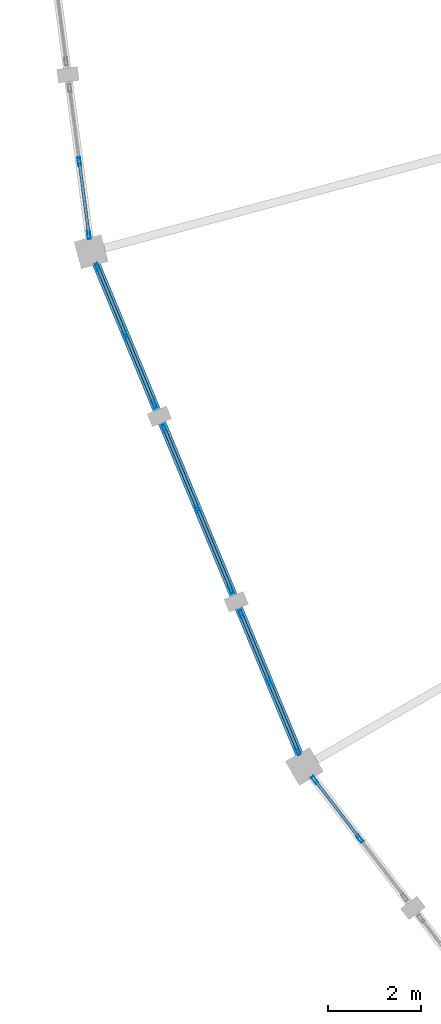
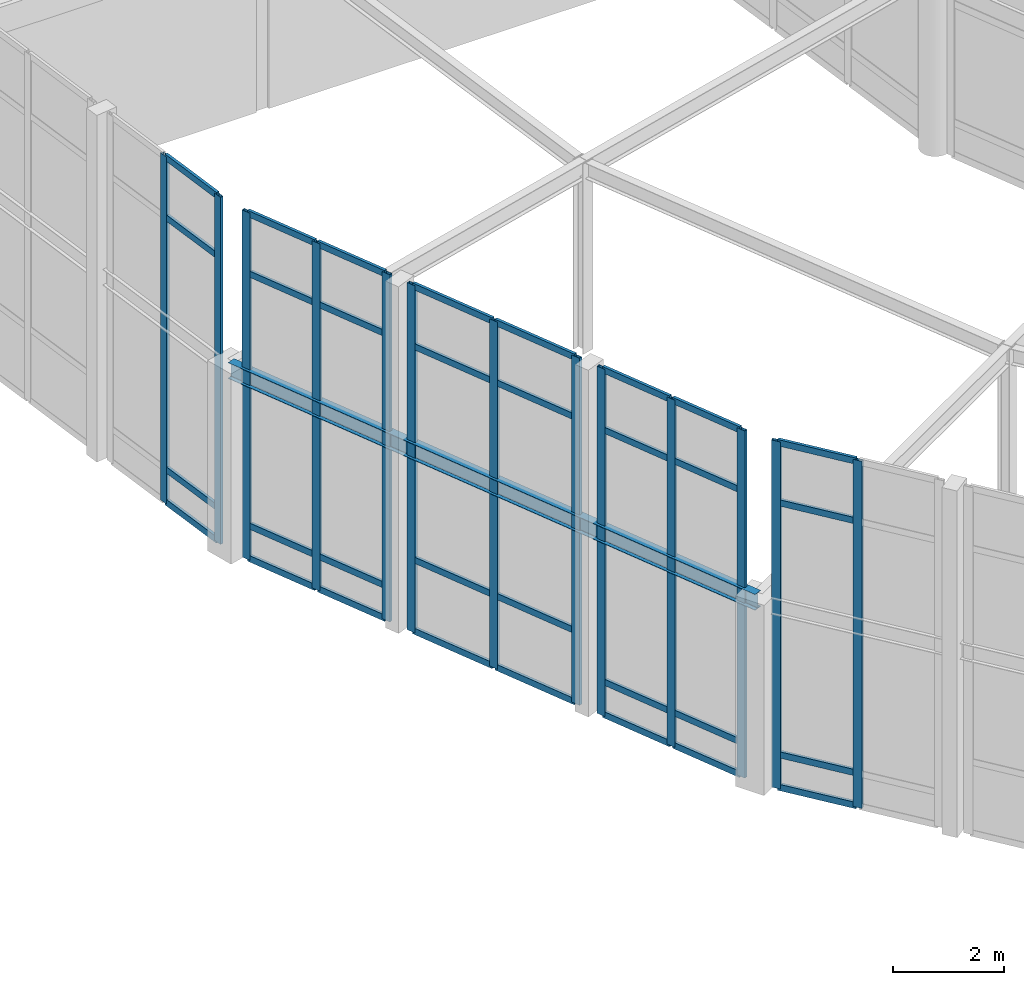
# One storey, part 25 of 93: 45 members, 1 beam, 5 elements without a shape of their own.
"""IFC4 building model written with IfcOpenShell, lengths in metres."""

from ifc_helpers import new_model, si_unit, direction, frame, origin, origin_2d, place, context, subcontext, project, spatial, hollow_rectangle, i_section, extrude, material, material_profile, profile_set, type_object, element, aggregate, save


model = new_model("IFC4")

# Units and contexts
model_context = context("Model", 3, precision=1e-05, world=origin(), true_north=direction((0.0, 1.0)))
body_context = subcontext(model_context, "Body", "Model", "MODEL_VIEW")
ifc_project = project(units=[si_unit("LENGTHUNIT", "METRE"), si_unit("AREAUNIT", "SQUARE_METRE"), si_unit("VOLUMEUNIT", "CUBIC_METRE"), si_unit("PLANEANGLEUNIT", "RADIAN"), si_unit("MASSUNIT", "GRAM", prefix="KILO")], contexts=[model_context])

# Site, building, storey
site_placement = place(None, origin())
site = spatial("IfcSite", under=ifc_project, at=site_placement, CompositionType="ELEMENT")
building_placement = place(site_placement, origin())
building = spatial("IfcBuilding", under=site, at=building_placement, Name="Vondelvale Polytechnic", CompositionType="ELEMENT")
storey_placement = place(building_placement, frame((0.0, 0.0, 18.0)))
storey = spatial("IfcBuildingStorey", under=building, at=storey_placement, Name="L04", CompositionType="ELEMENT", Elevation=18.0)

# Beam
ifc_material_1 = material(Name="Steel 300PLUS (fy = 300 MPa)", Category="steel")
ifc_material_profile_1 = material_profile(ifc_material_1, i_section(OverallWidth=0.1708984375, OverallDepth=0.35205078125, WebThickness=0.0068359375, FlangeThickness=0.009765625, FilletRadius=0.011474609375, at=origin_2d()), Name="360UB44.7")
ifc_profile_set_1 = profile_set([ifc_material_profile_1], Name="Steel 300PLUS (fy = 300 MPa)")
beam_type = type_object("IfcBeamType", Name="BM-UB360L", PredefinedType="BEAM", material=ifc_profile_set_1)
beam_placement = place(storey_placement, frame((57.5673828125, 60.09423828125, 4.02392578125), z_axis=(0.382688765072, -0.923877323614, 0.0), x_axis=(0.923877323614, 0.382688765072, 0.0)))
element("IfcBeam", 1, at=beam_placement, inside=storey, type_object=beam_type, Name="L04 RE B-24", PredefinedType="BEAM", context=body_context, shape_type="SweptSolid", body=[
    extrude(i_section(OverallWidth=0.1708984375, OverallDepth=0.35205078125, WebThickness=0.0068359375, FlangeThickness=0.009765625, FilletRadius=0.011474609375, at=origin_2d()), origin(), (0.0, 0.0, 1.0), 12.00830078125),
])

# Curtain wall, members
ifc_material_2 = material(Name="Glulam GL18 structural Tasmanian oak (fb = 42 MPa)", Category="wood")
curtain_wall_type = type_object("IfcCurtainWallType", Name="CW-RING-OUTER", PredefinedType="NOTDEFINED", material=ifc_material_2)
curtain_wall_1_placement = place(storey_placement, origin())
curtain_wall_1 = element("IfcCurtainWall", 2, at=curtain_wall_1_placement, inside=storey, type_object=curtain_wall_type, Name="L04 architectural curtain wall CW-04-274", PredefinedType="NOTDEFINED")
ifc_material_3 = material(Name="Anodised extruded aluminium 6063-T6", Category="aluminium")
ifc_material_profile_2 = material_profile(ifc_material_3, hollow_rectangle(XDim=0.06494140625, YDim=0.179931640625, WallThickness=0.00390625, at=origin_2d()), Name="CW-MUL-180x65")
ifc_profile_set_2 = profile_set([ifc_material_profile_2], Name="Anodised extruded aluminium 6063-T6")
member_type_1 = type_object("IfcMemberType", Name="CW-MUL-65x180", PredefinedType="MULLION", material=ifc_profile_set_2)
member_1_placement = place(storey_placement, frame((57.3115234375, 62.037841796875, 0.0), z_axis=(0.0, 0.0, 1.0), x_axis=(0.991443102996, 0.130539547729, 0.0)))
member_1 = element("IfcMember", 3, at=member_1_placement, type_object=member_type_1, Name="CW-04-274 mullion 2", PredefinedType="MULLION", context=body_context, shape_type="SweptSolid", body=[
    extrude(hollow_rectangle(XDim=0.06494140625, YDim=0.179931640625, WallThickness=0.00390625, at=origin_2d()), origin(), (0.0, 0.0, 1.0), 7.661376953125),
])
member_2_placement = place(storey_placement, frame((57.519775390625, 60.45654296875, 0.0), z_axis=(0.0, 0.0, 1.0), x_axis=(0.991443102996, 0.130539547729, 0.0)))
member_2 = element("IfcMember", 4, at=member_2_placement, type_object=member_type_1, Name="CW-04-274 mullion 3", PredefinedType="MULLION", context=body_context, shape_type="SweptSolid", body=[
    extrude(hollow_rectangle(XDim=0.06494140625, YDim=0.179931640625, WallThickness=0.00390625, at=origin_2d()), origin(), (0.0, 0.0, 1.0), 7.661376953125),
])

curtain_wall_2_placement = place(storey_placement, origin())
curtain_wall_2 = element("IfcCurtainWall", 5, at=curtain_wall_2_placement, inside=storey, type_object=curtain_wall_type, Name="L04 architectural curtain wall CW-04-292", PredefinedType="NOTDEFINED")
member_3_placement = place(storey_placement, frame((57.70703125, 59.7568359375, 0.0), z_axis=(0.0, 0.0, 1.0), x_axis=(0.923882033442, 0.382677394529, 0.0)))
member_3 = element("IfcMember", 6, at=member_3_placement, type_object=member_type_1, Name="CW-04-292 mullion 1", PredefinedType="MULLION", context=body_context, shape_type="SweptSolid", body=[
    extrude(hollow_rectangle(XDim=0.06494140625, YDim=0.179931640625, WallThickness=0.00390625, at=origin_2d()), origin(), (0.0, 0.0, 1.0), 7.661376953125),
])
member_4_placement = place(storey_placement, frame((58.3173828125, 58.283203125, 0.0), z_axis=(0.0, 0.0, 1.0), x_axis=(0.923882033442, 0.382677394529, 0.0)))
member_4 = element("IfcMember", 7, at=member_4_placement, type_object=member_type_1, Name="CW-04-292 mullion 2", PredefinedType="MULLION", context=body_context, shape_type="SweptSolid", body=[
    extrude(hollow_rectangle(XDim=0.06494140625, YDim=0.179931640625, WallThickness=0.00390625, at=origin_2d()), origin(), (0.0, 0.0, 1.0), 7.661376953125),
])
member_5_placement = place(storey_placement, frame((58.927978515625, 56.809814453125, 0.0), z_axis=(0.0, 0.0, 1.0), x_axis=(0.923882033442, 0.382677394529, 0.0)))
member_5 = element("IfcMember", 8, at=member_5_placement, type_object=member_type_1, Name="CW-04-292 mullion 3", PredefinedType="MULLION", context=body_context, shape_type="SweptSolid", body=[
    extrude(hollow_rectangle(XDim=0.06494140625, YDim=0.179931640625, WallThickness=0.00390625, at=origin_2d()), origin(), (0.0, 0.0, 1.0), 7.661376953125),
])

curtain_wall_3_placement = place(storey_placement, origin())
curtain_wall_3 = element("IfcCurtainWall", 9, at=curtain_wall_3_placement, inside=storey, type_object=curtain_wall_type, Name="L04 architectural curtain wall CW-04-293", PredefinedType="NOTDEFINED")
member_6_placement = place(storey_placement, frame((59.14794921875, 56.278564453125, 0.0), z_axis=(0.0, 0.0, 1.0), x_axis=(0.92387490701, 0.382694599123, 0.0)))
member_6 = element("IfcMember", 10, at=member_6_placement, type_object=member_type_1, Name="CW-04-293 mullion 1", PredefinedType="MULLION", context=body_context, shape_type="SweptSolid", body=[
    extrude(hollow_rectangle(XDim=0.06494140625, YDim=0.179931640625, WallThickness=0.00390625, at=origin_2d()), origin(), (0.0, 0.0, 1.0), 7.661376953125),
])
member_7_placement = place(storey_placement, frame((59.864990234375, 54.547119140625, 0.0), z_axis=(0.0, 0.0, 1.0), x_axis=(0.92387490701, 0.382694599123, 0.0)))
member_7 = element("IfcMember", 11, at=member_7_placement, type_object=member_type_1, Name="CW-04-293 mullion 2", PredefinedType="MULLION", context=body_context, shape_type="SweptSolid", body=[
    extrude(hollow_rectangle(XDim=0.06494140625, YDim=0.179931640625, WallThickness=0.00390625, at=origin_2d()), origin(), (0.0, 0.0, 1.0), 7.661376953125),
])
member_8_placement = place(storey_placement, frame((60.582275390625, 52.81591796875, 0.0), z_axis=(0.0, 0.0, 1.0), x_axis=(0.92387490701, 0.382694599123, 0.0)))
member_8 = element("IfcMember", 12, at=member_8_placement, type_object=member_type_1, Name="CW-04-293 mullion 3", PredefinedType="MULLION", context=body_context, shape_type="SweptSolid", body=[
    extrude(hollow_rectangle(XDim=0.06494140625, YDim=0.179931640625, WallThickness=0.00390625, at=origin_2d()), origin(), (0.0, 0.0, 1.0), 7.661376953125),
])

curtain_wall_4_placement = place(storey_placement, origin())
curtain_wall_4 = element("IfcCurtainWall", 13, at=curtain_wall_4_placement, inside=storey, type_object=curtain_wall_type, Name="L04 architectural curtain wall CW-04-294", PredefinedType="NOTDEFINED")
member_9_placement = place(storey_placement, frame((60.80224609375, 52.28466796875, 0.0), z_axis=(0.0, 0.0, 1.0), x_axis=(0.923882033442, 0.382677394529, 0.0)))
member_9 = element("IfcMember", 14, at=member_9_placement, type_object=member_type_1, Name="CW-04-294 mullion 1", PredefinedType="MULLION", context=body_context, shape_type="SweptSolid", body=[
    extrude(hollow_rectangle(XDim=0.06494140625, YDim=0.179931640625, WallThickness=0.00390625, at=origin_2d()), origin(), (0.0, 0.0, 1.0), 7.661376953125),
])
member_10_placement = place(storey_placement, frame((61.41259765625, 50.81103515625, 0.0), z_axis=(0.0, 0.0, 1.0), x_axis=(0.923882033442, 0.382677394529, 0.0)))
member_10 = element("IfcMember", 15, at=member_10_placement, type_object=member_type_1, Name="CW-04-294 mullion 2", PredefinedType="MULLION", context=body_context, shape_type="SweptSolid", body=[
    extrude(hollow_rectangle(XDim=0.06494140625, YDim=0.179931640625, WallThickness=0.00390625, at=origin_2d()), origin(), (0.0, 0.0, 1.0), 7.661376953125),
])
member_11_placement = place(storey_placement, frame((62.02294921875, 49.33740234375, 0.0), z_axis=(0.0, 0.0, 1.0), x_axis=(0.923882033442, 0.382677394529, 0.0)))
member_11 = element("IfcMember", 16, at=member_11_placement, type_object=member_type_1, Name="CW-04-294 mullion 3", PredefinedType="MULLION", context=body_context, shape_type="SweptSolid", body=[
    extrude(hollow_rectangle(XDim=0.06494140625, YDim=0.179931640625, WallThickness=0.00390625, at=origin_2d()), origin(), (0.0, 0.0, 1.0), 7.661376953125),
])

curtain_wall_5_placement = place(storey_placement, origin())
curtain_wall_5 = element("IfcCurtainWall", 17, at=curtain_wall_5_placement, inside=storey, type_object=curtain_wall_type, Name="L04 architectural curtain wall CW-04-311", PredefinedType="NOTDEFINED")
member_12_placement = place(storey_placement, frame((62.385009765625, 48.710205078125, 0.0), z_axis=(0.0, 0.0, 1.0), x_axis=(0.793333825656, 0.608786860133, 0.0)))
member_12 = element("IfcMember", 18, at=member_12_placement, type_object=member_type_1, Name="CW-04-311 mullion 1", PredefinedType="MULLION", context=body_context, shape_type="SweptSolid", body=[
    extrude(hollow_rectangle(XDim=0.06494140625, YDim=0.179931640625, WallThickness=0.00390625, at=origin_2d()), origin(), (0.0, 0.0, 1.0), 7.661376953125),
])
member_13_placement = place(storey_placement, frame((63.356201171875, 47.44482421875, 0.0), z_axis=(0.0, 0.0, 1.0), x_axis=(0.793333825656, 0.608786860133, 0.0)))
member_13 = element("IfcMember", 19, at=member_13_placement, type_object=member_type_1, Name="CW-04-311 mullion 2", PredefinedType="MULLION", context=body_context, shape_type="SweptSolid", body=[
    extrude(hollow_rectangle(XDim=0.06494140625, YDim=0.179931640625, WallThickness=0.00390625, at=origin_2d()), origin(), (0.0, 0.0, 1.0), 7.661376953125),
])

# Member
ifc_material_profile_3 = material_profile(ifc_material_3, hollow_rectangle(XDim=0.06005859375, YDim=0.139892578125, WallThickness=0.00341796875, at=origin_2d()), Name="CW-TRN-140x60")
ifc_profile_set_3 = profile_set([ifc_material_profile_3], Name="Anodised extruded aluminium 6063-T6")
member_type_2 = type_object("IfcMemberType", Name="CW-TRN-60x140", PredefinedType="USERDEFINED", material=ifc_profile_set_3)
member_14_placement = place(storey_placement, frame((57.315673828125, 62.005615234375, 0.030029296875), z_axis=(0.13066912162, -0.99142603388, 0.0), x_axis=(0.99142603388, 0.13066912162, 0.0)))
member_14 = element("IfcMember", 20, at=member_14_placement, type_object=member_type_2, Name="CW-04-274 transom 2.1", ObjectType="TRANSOM", PredefinedType="USERDEFINED", context=body_context, shape_type="SweptSolid", body=[
    extrude(hollow_rectangle(XDim=0.06005859375, YDim=0.139892578125, WallThickness=0.00341796875, at=origin_2d()), origin(), (0.0, 0.0, 1.0), 1.5302734375),
])

member_15_placement = place(storey_placement, frame((57.315673828125, 62.005615234375, 0.75), z_axis=(0.13066912162, -0.99142603388, 0.0), x_axis=(0.99142603388, 0.13066912162, 0.0)))
member_15 = element("IfcMember", 21, at=member_15_placement, type_object=member_type_2, Name="CW-04-274 transom 2.2", ObjectType="TRANSOM", PredefinedType="USERDEFINED", context=body_context, shape_type="SweptSolid", body=[
    extrude(hollow_rectangle(XDim=0.06005859375, YDim=0.139892578125, WallThickness=0.00341796875, at=origin_2d()), origin(), (0.0, 0.0, 1.0), 1.5302734375),
])

member_16_placement = place(storey_placement, frame((57.315673828125, 62.005615234375, 6.311279296875), z_axis=(0.13066912162, -0.99142603388, 0.0), x_axis=(0.99142603388, 0.13066912162, 0.0)))
member_16 = element("IfcMember", 22, at=member_16_placement, type_object=member_type_2, Name="CW-04-274 transom 2.3", ObjectType="TRANSOM", PredefinedType="USERDEFINED", context=body_context, shape_type="SweptSolid", body=[
    extrude(hollow_rectangle(XDim=0.06005859375, YDim=0.139892578125, WallThickness=0.00341796875, at=origin_2d()), origin(), (0.0, 0.0, 1.0), 1.5302734375),
])

member_17_placement = place(storey_placement, frame((57.315673828125, 62.005615234375, 7.63134765625), z_axis=(0.13066912162, -0.99142603388, 0.0), x_axis=(0.99142603388, 0.13066912162, 0.0)))
member_17 = element("IfcMember", 23, at=member_17_placement, type_object=member_type_2, Name="CW-04-274 transom 2.4", ObjectType="TRANSOM", PredefinedType="USERDEFINED", context=body_context, shape_type="SweptSolid", body=[
    extrude(hollow_rectangle(XDim=0.06005859375, YDim=0.139892578125, WallThickness=0.00341796875, at=origin_2d()), origin(), (0.0, 0.0, 1.0), 1.5302734375),
])

aggregate(curtain_wall_1, [member_1, member_2, member_14, member_15, member_16, member_17])

member_18_placement = place(storey_placement, frame((57.719482421875, 59.726806640625, 0.030029296875), z_axis=(0.382779237206, -0.923839843027, 0.0), x_axis=(0.923839843027, 0.382779237206, 0.0)))
member_18 = element("IfcMember", 24, at=member_18_placement, type_object=member_type_2, Name="CW-04-292 transom 1.1", ObjectType="TRANSOM", PredefinedType="USERDEFINED", context=body_context, shape_type="SweptSolid", body=[
    extrude(hollow_rectangle(XDim=0.06005859375, YDim=0.139892578125, WallThickness=0.00341796875, at=origin_2d()), origin(), (0.0, 0.0, 1.0), 1.530029296875),
])

member_19_placement = place(storey_placement, frame((57.719482421875, 59.726806640625, 0.75), z_axis=(0.382779237206, -0.923839843027, 0.0), x_axis=(0.923839843027, 0.382779237206, 0.0)))
member_19 = element("IfcMember", 25, at=member_19_placement, type_object=member_type_2, Name="CW-04-292 transom 1.2", ObjectType="TRANSOM", PredefinedType="USERDEFINED", context=body_context, shape_type="SweptSolid", body=[
    extrude(hollow_rectangle(XDim=0.06005859375, YDim=0.139892578125, WallThickness=0.00341796875, at=origin_2d()), origin(), (0.0, 0.0, 1.0), 1.530029296875),
])

member_20_placement = place(storey_placement, frame((57.719482421875, 59.726806640625, 6.311279296875), z_axis=(0.382779237206, -0.923839843027, 0.0), x_axis=(0.923839843027, 0.382779237206, 0.0)))
member_20 = element("IfcMember", 26, at=member_20_placement, type_object=member_type_2, Name="CW-04-292 transom 1.3", ObjectType="TRANSOM", PredefinedType="USERDEFINED", context=body_context, shape_type="SweptSolid", body=[
    extrude(hollow_rectangle(XDim=0.06005859375, YDim=0.139892578125, WallThickness=0.00341796875, at=origin_2d()), origin(), (0.0, 0.0, 1.0), 1.530029296875),
])

member_21_placement = place(storey_placement, frame((57.719482421875, 59.726806640625, 7.63134765625), z_axis=(0.382779237206, -0.923839843027, 0.0), x_axis=(0.923839843027, 0.382779237206, 0.0)))
member_21 = element("IfcMember", 27, at=member_21_placement, type_object=member_type_2, Name="CW-04-292 transom 1.4", ObjectType="TRANSOM", PredefinedType="USERDEFINED", context=body_context, shape_type="SweptSolid", body=[
    extrude(hollow_rectangle(XDim=0.06005859375, YDim=0.139892578125, WallThickness=0.00341796875, at=origin_2d()), origin(), (0.0, 0.0, 1.0), 1.530029296875),
])

member_22_placement = place(storey_placement, frame((58.329833984375, 58.253173828125, 0.030029296875), z_axis=(0.382835668721, -0.923816459452, 0.0), x_axis=(0.923816459452, 0.382835668721, 0.0)))
member_22 = element("IfcMember", 28, at=member_22_placement, type_object=member_type_2, Name="CW-04-292 transom 2.1", ObjectType="TRANSOM", PredefinedType="USERDEFINED", context=body_context, shape_type="SweptSolid", body=[
    extrude(hollow_rectangle(XDim=0.06005859375, YDim=0.139892578125, WallThickness=0.00341796875, at=origin_2d()), origin(), (0.0, 0.0, 1.0), 1.52978515625),
])

member_23_placement = place(storey_placement, frame((58.329833984375, 58.253173828125, 0.75), z_axis=(0.382835668721, -0.923816459452, 0.0), x_axis=(0.923816459452, 0.382835668721, 0.0)))
member_23 = element("IfcMember", 29, at=member_23_placement, type_object=member_type_2, Name="CW-04-292 transom 2.2", ObjectType="TRANSOM", PredefinedType="USERDEFINED", context=body_context, shape_type="SweptSolid", body=[
    extrude(hollow_rectangle(XDim=0.06005859375, YDim=0.139892578125, WallThickness=0.00341796875, at=origin_2d()), origin(), (0.0, 0.0, 1.0), 1.52978515625),
])

member_24_placement = place(storey_placement, frame((58.329833984375, 58.253173828125, 6.311279296875), z_axis=(0.382835668721, -0.923816459452, 0.0), x_axis=(0.923816459452, 0.382835668721, 0.0)))
member_24 = element("IfcMember", 30, at=member_24_placement, type_object=member_type_2, Name="CW-04-292 transom 2.3", ObjectType="TRANSOM", PredefinedType="USERDEFINED", context=body_context, shape_type="SweptSolid", body=[
    extrude(hollow_rectangle(XDim=0.06005859375, YDim=0.139892578125, WallThickness=0.00341796875, at=origin_2d()), origin(), (0.0, 0.0, 1.0), 1.52978515625),
])

member_25_placement = place(storey_placement, frame((58.329833984375, 58.253173828125, 7.63134765625), z_axis=(0.382835668721, -0.923816459452, 0.0), x_axis=(0.923816459452, 0.382835668721, 0.0)))
member_25 = element("IfcMember", 31, at=member_25_placement, type_object=member_type_2, Name="CW-04-292 transom 2.4", ObjectType="TRANSOM", PredefinedType="USERDEFINED", context=body_context, shape_type="SweptSolid", body=[
    extrude(hollow_rectangle(XDim=0.06005859375, YDim=0.139892578125, WallThickness=0.00341796875, at=origin_2d()), origin(), (0.0, 0.0, 1.0), 1.52978515625),
])

aggregate(curtain_wall_2, [member_3, member_4, member_5, member_18, member_19, member_20, member_21, member_22, member_23, member_24, member_25])

member_26_placement = place(storey_placement, frame((59.160400390625, 56.24853515625, 0.030029296875), z_axis=(0.382717291485, -0.923865506878, 0.0), x_axis=(0.923865506878, 0.382717291485, 0.0)))
member_26 = element("IfcMember", 32, at=member_26_placement, type_object=member_type_2, Name="CW-04-293 transom 1.1", ObjectType="TRANSOM", PredefinedType="USERDEFINED", context=body_context, shape_type="SweptSolid", body=[
    extrude(hollow_rectangle(XDim=0.06005859375, YDim=0.139892578125, WallThickness=0.00341796875, at=origin_2d()), origin(), (0.0, 0.0, 1.0), 1.80908203125),
])

member_27_placement = place(storey_placement, frame((59.160400390625, 56.24853515625, 1.60009765625), z_axis=(0.382717291485, -0.923865506878, 0.0), x_axis=(0.923865506878, 0.382717291485, 0.0)))
member_27 = element("IfcMember", 33, at=member_27_placement, type_object=member_type_2, Name="CW-04-293 transom 1.2", ObjectType="TRANSOM", PredefinedType="USERDEFINED", context=body_context, shape_type="SweptSolid", body=[
    extrude(hollow_rectangle(XDim=0.06005859375, YDim=0.139892578125, WallThickness=0.00341796875, at=origin_2d()), origin(), (0.0, 0.0, 1.0), 1.80908203125),
])

member_28_placement = place(storey_placement, frame((59.160400390625, 56.24853515625, 6.311279296875), z_axis=(0.382717291485, -0.923865506878, 0.0), x_axis=(0.923865506878, 0.382717291485, 0.0)))
member_28 = element("IfcMember", 34, at=member_28_placement, type_object=member_type_2, Name="CW-04-293 transom 1.3", ObjectType="TRANSOM", PredefinedType="USERDEFINED", context=body_context, shape_type="SweptSolid", body=[
    extrude(hollow_rectangle(XDim=0.06005859375, YDim=0.139892578125, WallThickness=0.00341796875, at=origin_2d()), origin(), (0.0, 0.0, 1.0), 1.80908203125),
])

member_29_placement = place(storey_placement, frame((59.160400390625, 56.24853515625, 7.63134765625), z_axis=(0.382717291485, -0.923865506878, 0.0), x_axis=(0.923865506878, 0.382717291485, 0.0)))
member_29 = element("IfcMember", 35, at=member_29_placement, type_object=member_type_2, Name="CW-04-293 transom 1.4", ObjectType="TRANSOM", PredefinedType="USERDEFINED", context=body_context, shape_type="SweptSolid", body=[
    extrude(hollow_rectangle(XDim=0.06005859375, YDim=0.139892578125, WallThickness=0.00341796875, at=origin_2d()), origin(), (0.0, 0.0, 1.0), 1.80908203125),
])

member_30_placement = place(storey_placement, frame((59.87744140625, 54.51708984375, 0.030029296875), z_axis=(0.382765012338, -0.92384573676, 0.0), x_axis=(0.92384573676, 0.382765012338, 0.0)))
member_30 = element("IfcMember", 36, at=member_30_placement, type_object=member_type_2, Name="CW-04-293 transom 2.1", ObjectType="TRANSOM", PredefinedType="USERDEFINED", context=body_context, shape_type="SweptSolid", body=[
    extrude(hollow_rectangle(XDim=0.06005859375, YDim=0.139892578125, WallThickness=0.00341796875, at=origin_2d()), origin(), (0.0, 0.0, 1.0), 1.808837890625),
])

member_31_placement = place(storey_placement, frame((59.87744140625, 54.51708984375, 1.60009765625), z_axis=(0.382765012338, -0.92384573676, 0.0), x_axis=(0.92384573676, 0.382765012338, 0.0)))
member_31 = element("IfcMember", 37, at=member_31_placement, type_object=member_type_2, Name="CW-04-293 transom 2.2", ObjectType="TRANSOM", PredefinedType="USERDEFINED", context=body_context, shape_type="SweptSolid", body=[
    extrude(hollow_rectangle(XDim=0.06005859375, YDim=0.139892578125, WallThickness=0.00341796875, at=origin_2d()), origin(), (0.0, 0.0, 1.0), 1.808837890625),
])

member_32_placement = place(storey_placement, frame((59.87744140625, 54.51708984375, 6.311279296875), z_axis=(0.382765012338, -0.92384573676, 0.0), x_axis=(0.92384573676, 0.382765012338, 0.0)))
member_32 = element("IfcMember", 38, at=member_32_placement, type_object=member_type_2, Name="CW-04-293 transom 2.3", ObjectType="TRANSOM", PredefinedType="USERDEFINED", context=body_context, shape_type="SweptSolid", body=[
    extrude(hollow_rectangle(XDim=0.06005859375, YDim=0.139892578125, WallThickness=0.00341796875, at=origin_2d()), origin(), (0.0, 0.0, 1.0), 1.808837890625),
])

member_33_placement = place(storey_placement, frame((59.87744140625, 54.51708984375, 7.63134765625), z_axis=(0.382765012338, -0.92384573676, 0.0), x_axis=(0.92384573676, 0.382765012338, 0.0)))
member_33 = element("IfcMember", 39, at=member_33_placement, type_object=member_type_2, Name="CW-04-293 transom 2.4", ObjectType="TRANSOM", PredefinedType="USERDEFINED", context=body_context, shape_type="SweptSolid", body=[
    extrude(hollow_rectangle(XDim=0.06005859375, YDim=0.139892578125, WallThickness=0.00341796875, at=origin_2d()), origin(), (0.0, 0.0, 1.0), 1.808837890625),
])

aggregate(curtain_wall_3, [member_6, member_7, member_8, member_26, member_27, member_28, member_29, member_30, member_31, member_32, member_33])

member_34_placement = place(storey_placement, frame((60.814697265625, 52.254638671875, 0.030029296875), z_axis=(0.382643045304, -0.923896260346, 0.0), x_axis=(0.923896260346, 0.382643045304, 0.0)))
member_34 = element("IfcMember", 40, at=member_34_placement, type_object=member_type_2, Name="CW-04-294 transom 1.1", ObjectType="TRANSOM", PredefinedType="USERDEFINED", context=body_context, shape_type="SweptSolid", body=[
    extrude(hollow_rectangle(XDim=0.06005859375, YDim=0.139892578125, WallThickness=0.00341796875, at=origin_2d()), origin(), (0.0, 0.0, 1.0), 1.530029296875),
])

member_35_placement = place(storey_placement, frame((60.814697265625, 52.254638671875, 0.75), z_axis=(0.382643045304, -0.923896260346, 0.0), x_axis=(0.923896260346, 0.382643045304, 0.0)))
member_35 = element("IfcMember", 41, at=member_35_placement, type_object=member_type_2, Name="CW-04-294 transom 1.2", ObjectType="TRANSOM", PredefinedType="USERDEFINED", context=body_context, shape_type="SweptSolid", body=[
    extrude(hollow_rectangle(XDim=0.06005859375, YDim=0.139892578125, WallThickness=0.00341796875, at=origin_2d()), origin(), (0.0, 0.0, 1.0), 1.530029296875),
])

member_36_placement = place(storey_placement, frame((60.814697265625, 52.254638671875, 6.311279296875), z_axis=(0.382643045304, -0.923896260346, 0.0), x_axis=(0.923896260346, 0.382643045304, 0.0)))
member_36 = element("IfcMember", 42, at=member_36_placement, type_object=member_type_2, Name="CW-04-294 transom 1.3", ObjectType="TRANSOM", PredefinedType="USERDEFINED", context=body_context, shape_type="SweptSolid", body=[
    extrude(hollow_rectangle(XDim=0.06005859375, YDim=0.139892578125, WallThickness=0.00341796875, at=origin_2d()), origin(), (0.0, 0.0, 1.0), 1.530029296875),
])

member_37_placement = place(storey_placement, frame((60.814697265625, 52.254638671875, 7.63134765625), z_axis=(0.382643045304, -0.923896260346, 0.0), x_axis=(0.923896260346, 0.382643045304, 0.0)))
member_37 = element("IfcMember", 43, at=member_37_placement, type_object=member_type_2, Name="CW-04-294 transom 1.4", ObjectType="TRANSOM", PredefinedType="USERDEFINED", context=body_context, shape_type="SweptSolid", body=[
    extrude(hollow_rectangle(XDim=0.06005859375, YDim=0.139892578125, WallThickness=0.00341796875, at=origin_2d()), origin(), (0.0, 0.0, 1.0), 1.530029296875),
])

member_38_placement = place(storey_placement, frame((61.425048828125, 50.781005859375, 0.030029296875), z_axis=(0.382779237206, -0.923839843027, 0.0), x_axis=(0.923839843027, 0.382779237206, 0.0)))
member_38 = element("IfcMember", 44, at=member_38_placement, type_object=member_type_2, Name="CW-04-294 transom 2.1", ObjectType="TRANSOM", PredefinedType="USERDEFINED", context=body_context, shape_type="SweptSolid", body=[
    extrude(hollow_rectangle(XDim=0.06005859375, YDim=0.139892578125, WallThickness=0.00341796875, at=origin_2d()), origin(), (0.0, 0.0, 1.0), 1.530029296875),
])

member_39_placement = place(storey_placement, frame((61.425048828125, 50.781005859375, 0.75), z_axis=(0.382779237206, -0.923839843027, 0.0), x_axis=(0.923839843027, 0.382779237206, 0.0)))
member_39 = element("IfcMember", 45, at=member_39_placement, type_object=member_type_2, Name="CW-04-294 transom 2.2", ObjectType="TRANSOM", PredefinedType="USERDEFINED", context=body_context, shape_type="SweptSolid", body=[
    extrude(hollow_rectangle(XDim=0.06005859375, YDim=0.139892578125, WallThickness=0.00341796875, at=origin_2d()), origin(), (0.0, 0.0, 1.0), 1.530029296875),
])

member_40_placement = place(storey_placement, frame((61.425048828125, 50.781005859375, 6.311279296875), z_axis=(0.382779237206, -0.923839843027, 0.0), x_axis=(0.923839843027, 0.382779237206, 0.0)))
member_40 = element("IfcMember", 46, at=member_40_placement, type_object=member_type_2, Name="CW-04-294 transom 2.3", ObjectType="TRANSOM", PredefinedType="USERDEFINED", context=body_context, shape_type="SweptSolid", body=[
    extrude(hollow_rectangle(XDim=0.06005859375, YDim=0.139892578125, WallThickness=0.00341796875, at=origin_2d()), origin(), (0.0, 0.0, 1.0), 1.530029296875),
])

member_41_placement = place(storey_placement, frame((61.425048828125, 50.781005859375, 7.63134765625), z_axis=(0.382779237206, -0.923839843027, 0.0), x_axis=(0.923839843027, 0.382779237206, 0.0)))
member_41 = element("IfcMember", 47, at=member_41_placement, type_object=member_type_2, Name="CW-04-294 transom 2.4", ObjectType="TRANSOM", PredefinedType="USERDEFINED", context=body_context, shape_type="SweptSolid", body=[
    extrude(hollow_rectangle(XDim=0.06005859375, YDim=0.139892578125, WallThickness=0.00341796875, at=origin_2d()), origin(), (0.0, 0.0, 1.0), 1.530029296875),
])

aggregate(curtain_wall_4, [member_9, member_10, member_11, member_34, member_35, member_36, member_37, member_38, member_39, member_40, member_41])

member_42_placement = place(storey_placement, frame((62.40478515625, 48.684326171875, 0.030029296875), z_axis=(0.608923875222, -0.7932286645, 0.0), x_axis=(0.7932286645, 0.608923875222, 0.0)))
member_42 = element("IfcMember", 48, at=member_42_placement, type_object=member_type_2, Name="CW-04-311 transom 1.1", ObjectType="TRANSOM", PredefinedType="USERDEFINED", context=body_context, shape_type="SweptSolid", body=[
    extrude(hollow_rectangle(XDim=0.06005859375, YDim=0.139892578125, WallThickness=0.00341796875, at=origin_2d()), origin(), (0.0, 0.0, 1.0), 1.530029296875),
])

member_43_placement = place(storey_placement, frame((62.40478515625, 48.684326171875, 0.75), z_axis=(0.608923875222, -0.7932286645, 0.0), x_axis=(0.7932286645, 0.608923875222, 0.0)))
member_43 = element("IfcMember", 49, at=member_43_placement, type_object=member_type_2, Name="CW-04-311 transom 1.2", ObjectType="TRANSOM", PredefinedType="USERDEFINED", context=body_context, shape_type="SweptSolid", body=[
    extrude(hollow_rectangle(XDim=0.06005859375, YDim=0.139892578125, WallThickness=0.00341796875, at=origin_2d()), origin(), (0.0, 0.0, 1.0), 1.530029296875),
])

member_44_placement = place(storey_placement, frame((62.40478515625, 48.684326171875, 6.311279296875), z_axis=(0.608923875222, -0.7932286645, 0.0), x_axis=(0.7932286645, 0.608923875222, 0.0)))
member_44 = element("IfcMember", 50, at=member_44_placement, type_object=member_type_2, Name="CW-04-311 transom 1.3", ObjectType="TRANSOM", PredefinedType="USERDEFINED", context=body_context, shape_type="SweptSolid", body=[
    extrude(hollow_rectangle(XDim=0.06005859375, YDim=0.139892578125, WallThickness=0.00341796875, at=origin_2d()), origin(), (0.0, 0.0, 1.0), 1.530029296875),
])

member_45_placement = place(storey_placement, frame((62.40478515625, 48.684326171875, 7.63134765625), z_axis=(0.608923875222, -0.7932286645, 0.0), x_axis=(0.7932286645, 0.608923875222, 0.0)))
member_45 = element("IfcMember", 51, at=member_45_placement, type_object=member_type_2, Name="CW-04-311 transom 1.4", ObjectType="TRANSOM", PredefinedType="USERDEFINED", context=body_context, shape_type="SweptSolid", body=[
    extrude(hollow_rectangle(XDim=0.06005859375, YDim=0.139892578125, WallThickness=0.00341796875, at=origin_2d()), origin(), (0.0, 0.0, 1.0), 1.530029296875),
])

aggregate(curtain_wall_5, [member_12, member_13, member_42, member_43, member_44, member_45])

save(model, "model.ifc")
